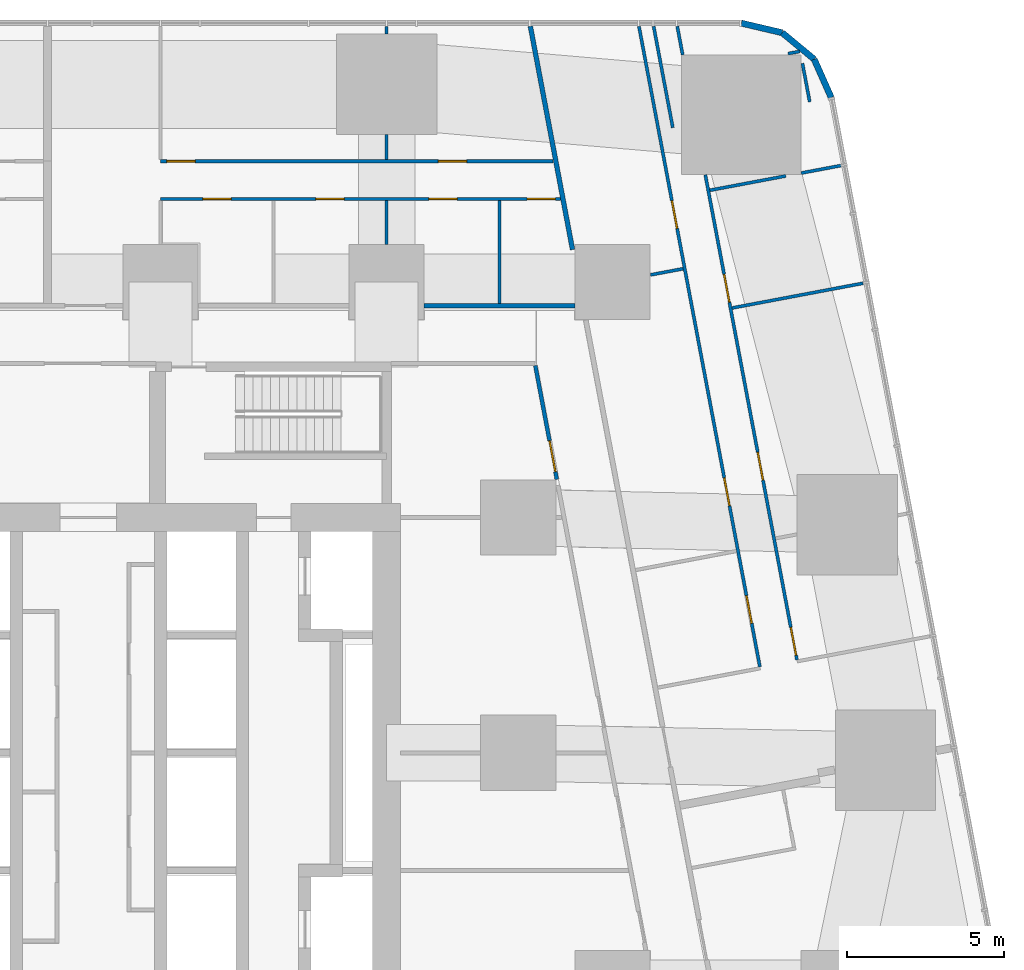
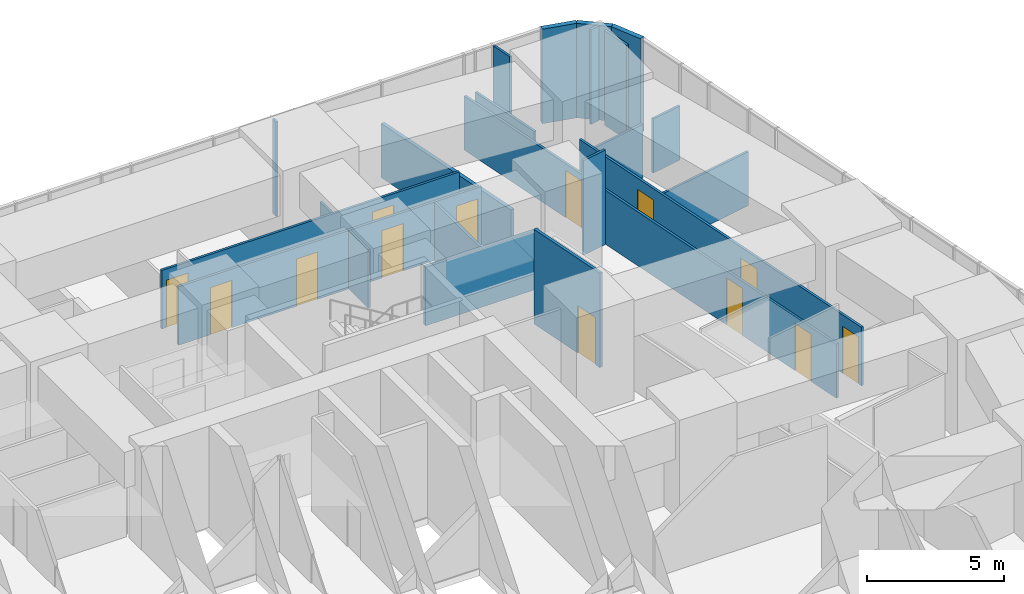
# One storey, part 19 of 22: 22 walls, 13 doors, 13 openings.
"""IFC4 building model written with IfcOpenShell, lengths in metres."""

from ifc_helpers import new_model, si_unit, direction, frame, frame_2d, origin, place, context, subcontext, project, spatial, rectangle, extrude, material, layer, layer_set, type_object, element, fill, save


model = new_model("IFC4")

# Units and contexts
model_context = context("Model", 3, precision=1e-05, world=origin(), true_north=direction((0.0, 1.0)))
body_context = subcontext(model_context, "Body", "Model", "MODEL_VIEW")
ifc_project = project(units=[si_unit("LENGTHUNIT", "METRE"), si_unit("AREAUNIT", "SQUARE_METRE"), si_unit("VOLUMEUNIT", "CUBIC_METRE"), si_unit("PLANEANGLEUNIT", "RADIAN"), si_unit("MASSUNIT", "GRAM", prefix="KILO")], contexts=[model_context])

# Site, building, storey
site_placement = place(None, origin())
site = spatial("IfcSite", under=ifc_project, at=site_placement, CompositionType="ELEMENT")
building_placement = place(site_placement, origin())
building = spatial("IfcBuilding", under=site, at=building_placement, Name="Sheger Commons Tower", CompositionType="ELEMENT")
storey_placement = place(building_placement, frame((0.0, 0.0, 10.10009765625)))
storey = spatial("IfcBuildingStorey", under=building, at=storey_placement, Name="L02", CompositionType="ELEMENT", Elevation=10.10009765625)

# Walls
ifc_material_1 = material(Name="Hollow concrete block masonry, skimmed both sides", Category="masonry")
ifc_layer_1 = layer(ifc_material_1, 0.14990234375)
ifc_layer_set_1 = layer_set([ifc_layer_1], Name="CORRIDOR WALL 150")
wall_type_1 = type_object("IfcWallType", Name="CORRIDOR WALL 150", PredefinedType="SOLIDWALL", material=ifc_layer_set_1)
wall_1_placement = place(storey_placement, frame((30.0009765625, 36.75, 0.0), z_axis=(0.0, 0.0, 1.0), x_axis=(1.0, 0.0, 0.0)))
element("IfcWall", 1, at=wall_1_placement, inside=storey, type_object=wall_type_1, Name="Corridor wall L02", PredefinedType="SOLIDWALL", context=body_context, shape_type="SweptSolid", body=[
    extrude(rectangle(XDim=4.798095703125, YDim=0.14990234375, at=frame_2d((2.39892578125, 0.0))), origin(), (0.0, 0.0, 1.0), 2.599853515625),
])
wall_2_placement = place(storey_placement, frame((33.382080078125, 45.64990234375, 0.0), z_axis=(0.0, 0.0, 1.0), x_axis=(0.185564463355, -0.982632092871, 0.0)))
element("IfcWall", 2, at=wall_2_placement, inside=storey, type_object=wall_type_1, Name="Corridor wall L02", PredefinedType="SOLIDWALL", context=body_context, shape_type="SweptSolid", body=[
    extrude(rectangle(XDim=7.24267578125, YDim=0.14990234375, at=frame_2d((3.621337890625, 0.0))), origin(), (0.0, 0.0, 1.0), 2.39990234375),
])
ifc_material_2 = material(Name="Rendered concrete block masonry, dark grey", Category="masonry")
ifc_layer_2 = layer(ifc_material_2, 0.199951171875)
ifc_layer_set_2 = layer_set([ifc_layer_2], Name="FACADE WALL 200")
wall_type_2 = type_object("IfcWallType", Name="FACADE WALL 200", PredefinedType="SOLIDWALL", material=ifc_layer_set_2)
wall_3_placement = place(storey_placement, frame((42.969970703125, 43.376953125, 0.0), z_axis=(0.0, 0.0, 1.0), x_axis=(-0.406002956633, 0.913871762998, 0.0)))
element("IfcWall", 3, at=wall_3_placement, inside=storey, type_object=wall_type_2, Name="Facade wall L02", PredefinedType="SOLIDWALL", context=body_context, shape_type="SweptSolid", body=[
    extrude(rectangle(XDim=1.33740234375, YDim=0.199951171875, at=frame_2d((0.668701171875, 0.0))), origin(), (0.0, 0.0, 1.0), 4.199951171875),
])
wall_4_placement = place(storey_placement, frame((42.427001953125, 44.59912109375, 0.0), z_axis=(0.0, 0.0, 1.0), x_axis=(-0.770091412544, 0.637933551655, 0.0)))
element("IfcWall", 4, at=wall_4_placement, inside=storey, type_object=wall_type_2, Name="Facade wall L02", PredefinedType="SOLIDWALL", context=body_context, shape_type="SweptSolid", body=[
    extrude(rectangle(XDim=1.324462890625, YDim=0.199951171875, at=frame_2d((0.662109375, 0.0))), origin(), (0.0, 0.0, 1.0), 4.199951171875),
])
wall_5_placement = place(storey_placement, frame((41.406982421875, 45.444091796875, 0.0), z_axis=(0.0, 0.0, 1.0), x_axis=(-0.973453091607, 0.228886606077, 0.0)))
element("IfcWall", 5, at=wall_5_placement, inside=storey, type_object=wall_type_2, Name="Facade wall L02", PredefinedType="SOLIDWALL", context=body_context, shape_type="SweptSolid", body=[
    extrude(rectangle(XDim=1.33642578125, YDim=0.199951171875, at=frame_2d((0.668212890625, 0.0))), origin(), (0.0, 0.0, 1.0), 4.199951171875),
])
ifc_material_3 = material(Name="Gypsum board on steel studs", Category="steel")
ifc_layer_3 = layer(ifc_material_3, 0.10009765625)
ifc_layer_set_3 = layer_set([ifc_layer_3], Name="PARTITION 100")
wall_type_3 = type_object("IfcWallType", Name="PARTITION 100", PredefinedType="PARTITIONING", material=ifc_layer_set_3)
wall_6_placement = place(storey_placement, frame((37.9208984375, 42.41796875, 0.0), z_axis=(0.0, 0.0, 1.0), x_axis=(-0.185713480744, 0.982603940085, 0.0)))
element("IfcWall", 6, at=wall_6_placement, inside=storey, type_object=wall_type_3, Name="Partition L02", PredefinedType="PARTITIONING", context=body_context, shape_type="SweptSolid", body=[
    extrude(rectangle(XDim=3.2890625, YDim=0.10009765625, at=frame_2d((1.64453125, 0.0))), origin(), (0.0, 0.0, 1.0), 2.39990234375),
])
wall_7_placement = place(storey_placement, frame((42.051025390625, 44.468994140625, 0.0), z_axis=(0.0, 0.0, 1.0), x_axis=(0.185728424166, -0.98260111564, 0.0)))
element("IfcWall", 7, at=wall_7_placement, inside=storey, type_object=wall_type_3, Name="Partition L02", PredefinedType="PARTITIONING", context=body_context, shape_type="SweptSolid", body=[
    extrude(rectangle(XDim=1.248779296875, YDim=0.10009765625, at=frame_2d((0.62451171875, 0.0))), origin(), (0.0, 0.0, 1.0), 4.199951171875),
])
wall_8_placement = place(storey_placement, frame((38.06298828125, 45.64990234375, 0.0), z_axis=(0.0, 0.0, 1.0), x_axis=(0.185288147753, -0.982684233262, 0.0)))
element("IfcWall", 8, at=wall_8_placement, inside=storey, type_object=wall_type_3, Name="Partition L02", PredefinedType="PARTITIONING", context=body_context, shape_type="SweptSolid", body=[
    extrude(rectangle(XDim=0.928955078125, YDim=0.10009765625, at=frame_2d((0.46435546875, 0.0))), origin(), (0.0, 0.0, 1.0), 4.199951171875),
])

# Wall, openings, doors
wall_9_placement = place(storey_placement, frame((38.9560546875, 40.919921875, 0.0), z_axis=(0.0, 0.0, 1.0), x_axis=(0.185636914727, -0.982618408077, 0.0)))
wall_9 = element("IfcWall", 9, at=wall_9_placement, inside=storey, type_object=wall_type_3, Name="Partition L02", PredefinedType="PARTITIONING", context=body_context, shape_type="SweptSolid", body=[
    extrude(rectangle(XDim=15.729248046875, YDim=0.10009765625, at=frame_2d((7.86474609375, 0.0))), origin(), (0.0, 0.0, 1.0), 2.599853515625),
])
opening_1_placement = place(wall_9_placement, frame((14.678955078125, 0.0, 0.0)))
opening_1 = element("IfcOpeningElement", 10, at=opening_1_placement, cuts=wall_9, Name="Opening D2", PredefinedType="OPENING", context=body_context, shape_type="SweptSolid", body=[
    extrude(rectangle(XDim=0.89990234375, YDim=2.10009765625, at=frame_2d((0.449951171875, 1.050048828125))), frame((0.0, 0.06005859375, 0.0), z_axis=(0.0, -1.0, 0.0), x_axis=(1.0, 0.0, 0.0)), (0.0, 0.0, 1.0), 0.1201171875),
])
opening_2_placement = place(wall_9_placement, frame((9.0, 0.0, 0.0)))
opening_2 = element("IfcOpeningElement", 11, at=opening_2_placement, cuts=wall_9, Name="Opening D2", PredefinedType="OPENING", context=body_context, shape_type="SweptSolid", body=[
    extrude(rectangle(XDim=0.89990234375, YDim=2.10009765625, at=frame_2d((0.449951171875, 1.050048828125))), frame((0.0, 0.06005859375, 0.0), z_axis=(0.0, -1.0, 0.0), x_axis=(1.0, 0.0, 0.0)), (0.0, 0.0, 1.0), 0.1201171875),
])
opening_3_placement = place(wall_9_placement, frame((3.23095703125, 0.0, 0.0)))
opening_3 = element("IfcOpeningElement", 12, at=opening_3_placement, cuts=wall_9, Name="Opening D2", PredefinedType="OPENING", context=body_context, shape_type="SweptSolid", body=[
    extrude(rectangle(XDim=0.89990234375, YDim=2.10009765625, at=frame_2d((0.449951171875, 1.050048828125))), frame((0.0, 0.06005859375, 0.0), z_axis=(0.0, -1.0, 0.0), x_axis=(1.0, 0.0, 0.0)), (0.0, 0.0, 1.0), 0.1201171875),
])
ifc_material_4 = material(Name="Timber door set", Category="wood")
door_type_1 = type_object("IfcDoorType", Name="INTERNAL DOOR 900x2100", OperationType="NOTDEFINED", PredefinedType="DOOR", material=ifc_material_4)
door_1_placement = place(opening_1_placement, origin())
door_1 = element("IfcDoor", 13, at=door_1_placement, inside=storey, type_object=door_type_1, Name="Dental surgery door", OperationType="SINGLE_SWING_RIGHT", OverallHeight=2.10009765625, OverallWidth=0.89990234375, PredefinedType="DOOR", context=body_context, shape_type="SweptSolid", body=[
    extrude(rectangle(XDim=0.89990234375, YDim=2.10009765625, at=frame_2d((0.449951171875, 1.050048828125))), frame((0.0, 0.02490234375, 0.0), z_axis=(0.0, -1.0, 0.0), x_axis=(1.0, 0.0, 0.0)), (0.0, 0.0, 1.0), 0.050048828125),
])
fill(opening_1, door_1)
door_2_placement = place(opening_2_placement, origin())
door_2 = element("IfcDoor", 14, at=door_2_placement, inside=storey, type_object=door_type_1, Name="Laboratory door", OperationType="SINGLE_SWING_RIGHT", OverallHeight=2.10009765625, OverallWidth=0.89990234375, PredefinedType="DOOR", context=body_context, shape_type="SweptSolid", body=[
    extrude(rectangle(XDim=0.89990234375, YDim=2.10009765625, at=frame_2d((0.449951171875, 1.050048828125))), frame((0.0, 0.02490234375, 0.0), z_axis=(0.0, -1.0, 0.0), x_axis=(1.0, 0.0, 0.0)), (0.0, 0.0, 1.0), 0.050048828125),
])
fill(opening_2, door_2)
door_3_placement = place(opening_3_placement, origin())
door_3 = element("IfcDoor", 15, at=door_3_placement, inside=storey, type_object=door_type_1, Name="Ultrasound room door", OperationType="SINGLE_SWING_RIGHT", OverallHeight=2.10009765625, OverallWidth=0.89990234375, PredefinedType="DOOR", context=body_context, shape_type="SweptSolid", body=[
    extrude(rectangle(XDim=0.89990234375, YDim=2.10009765625, at=frame_2d((0.449951171875, 1.050048828125))), frame((0.0, 0.02490234375, 0.0), z_axis=(0.0, -1.0, 0.0), x_axis=(1.0, 0.0, 0.0)), (0.0, 0.0, 1.0), 0.050048828125),
])
fill(opening_3, door_3)

wall_10_placement = place(storey_placement, frame((36.842041015625, 45.64990234375, 0.0), z_axis=(0.0, 0.0, 1.0), x_axis=(0.185559483963, -0.982633033188, 0.0)))
wall_10 = element("IfcWall", 16, at=wall_10_placement, inside=storey, type_object=wall_type_3, Name="Partition L02", PredefinedType="PARTITIONING", context=body_context, shape_type="SweptSolid", body=[
    extrude(rectangle(XDim=20.76953125, YDim=0.10009765625, at=frame_2d((10.384765625, 0.0))), origin(), (0.0, 0.0, 1.0), 2.39990234375),
])
opening_4_placement = place(wall_10_placement, frame((18.4619140625, 0.0, 0.0)))
opening_4 = element("IfcOpeningElement", 17, at=opening_4_placement, cuts=wall_10, Name="Opening D2", PredefinedType="OPENING", context=body_context, shape_type="SweptSolid", body=[
    extrude(rectangle(XDim=0.89990234375, YDim=2.10009765625, at=frame_2d((0.449951171875, 1.050048828125))), frame((0.0, 0.06005859375, 0.0), z_axis=(0.0, -1.0, 0.0), x_axis=(1.0, 0.0, 0.0)), (0.0, 0.0, 1.0), 0.1201171875),
])
opening_5_placement = place(wall_10_placement, frame((14.64501953125, 0.0, 0.0)))
opening_5 = element("IfcOpeningElement", 18, at=opening_5_placement, cuts=wall_10, Name="Opening D2", PredefinedType="OPENING", context=body_context, shape_type="SweptSolid", body=[
    extrude(rectangle(XDim=0.89990234375, YDim=2.10009765625, at=frame_2d((0.449951171875, 1.050048828125))), frame((0.0, 0.06005859375, 0.0), z_axis=(0.0, -1.0, 0.0), x_axis=(1.0, 0.0, 0.0)), (0.0, 0.0, 1.0), 0.1201171875),
])
opening_6_placement = place(wall_10_placement, frame((5.655029296875, 0.0, 0.0)))
opening_6 = element("IfcOpeningElement", 19, at=opening_6_placement, cuts=wall_10, Name="Opening D2", PredefinedType="OPENING", context=body_context, shape_type="SweptSolid", body=[
    extrude(rectangle(XDim=0.89990234375, YDim=2.10009765625, at=frame_2d((0.449951171875, 1.050048828125))), frame((0.0, 0.06005859375, 0.0), z_axis=(0.0, -1.0, 0.0), x_axis=(1.0, 0.0, 0.0)), (0.0, 0.0, 1.0), 0.1201171875),
])
door_4_placement = place(opening_4_placement, origin())
door_4 = element("IfcDoor", 20, at=door_4_placement, inside=storey, type_object=door_type_1, Name="Patient WC door", OperationType="SINGLE_SWING_LEFT", OverallHeight=2.10009765625, OverallWidth=0.89990234375, PredefinedType="DOOR", context=body_context, shape_type="SweptSolid", body=[
    extrude(rectangle(XDim=0.89990234375, YDim=2.10009765625, at=frame_2d((0.449951171875, 1.050048828125))), frame((0.0, 0.02490234375, 0.0), z_axis=(0.0, -1.0, 0.0), x_axis=(1.0, 0.0, 0.0)), (0.0, 0.0, 1.0), 0.050048828125),
])
fill(opening_4, door_4)
door_5_placement = place(opening_5_placement, origin())
door_5 = element("IfcDoor", 21, at=door_5_placement, inside=storey, type_object=door_type_1, Name="Treatment room door", OperationType="SINGLE_SWING_LEFT", OverallHeight=2.10009765625, OverallWidth=0.89990234375, PredefinedType="DOOR", context=body_context, shape_type="SweptSolid", body=[
    extrude(rectangle(XDim=0.89990234375, YDim=2.10009765625, at=frame_2d((0.449951171875, 1.050048828125))), frame((0.0, 0.02490234375, 0.0), z_axis=(0.0, -1.0, 0.0), x_axis=(1.0, 0.0, 0.0)), (0.0, 0.0, 1.0), 0.050048828125),
])
fill(opening_5, door_5)
door_6_placement = place(opening_6_placement, origin())
door_6 = element("IfcDoor", 22, at=door_6_placement, inside=storey, type_object=door_type_1, Name="Clean utility store door", OperationType="SINGLE_SWING_LEFT", OverallHeight=2.10009765625, OverallWidth=0.89990234375, PredefinedType="DOOR", context=body_context, shape_type="SweptSolid", body=[
    extrude(rectangle(XDim=0.89990234375, YDim=2.10009765625, at=frame_2d((0.449951171875, 1.050048828125))), frame((0.0, 0.02490234375, 0.0), z_axis=(0.0, -1.0, 0.0), x_axis=(1.0, 0.0, 0.0)), (0.0, 0.0, 1.0), 0.050048828125),
])
fill(opening_6, door_6)

# Walls
wall_11_placement = place(storey_placement, frame((41.968017578125, 44.85009765625, 0.0), z_axis=(0.0, 0.0, 1.0), x_axis=(-0.982433858219, -0.186611131032, 0.0)))
element("IfcWall", 23, at=wall_11_placement, inside=storey, type_object=wall_type_3, Name="Partition L02", PredefinedType="PARTITIONING", context=body_context, shape_type="SweptSolid", body=[
    extrude(rectangle(XDim=0.380615234375, YDim=0.10009765625, at=frame_2d((0.1904296875, 0.0))), origin(), (0.0, 0.0, 1.0), 4.199951171875),
])
wall_12_placement = place(storey_placement, frame((43.277099609375, 41.2119140625, 0.0), z_axis=(0.0, 0.0, 1.0), x_axis=(-0.982617952949, -0.185639323801, 0.0)))
element("IfcWall", 24, at=wall_12_placement, inside=storey, type_object=wall_type_3, Name="Partition L02", PredefinedType="PARTITIONING", context=body_context, shape_type="SweptSolid", body=[
    extrude(rectangle(XDim=1.28759765625, YDim=0.10009765625, at=frame_2d((0.643798828125, 0.0))), origin(), (0.0, 0.0, 1.0), 2.39990234375),
])
wall_13_placement = place(storey_placement, frame((41.52099609375, 40.881103515625, 0.0), z_axis=(0.0, 0.0, 1.0), x_axis=(-0.982628922785, -0.18558124934, 0.0)))
element("IfcWall", 25, at=wall_13_placement, inside=storey, type_object=wall_type_3, Name="Partition L02", PredefinedType="PARTITIONING", context=body_context, shape_type="SweptSolid", body=[
    extrude(rectangle(XDim=2.462646484375, YDim=0.10009765625, at=frame_2d((1.2314453125, 0.0))), origin(), (0.0, 0.0, 1.0), 2.39990234375),
])
wall_14_placement = place(storey_placement, frame((43.985107421875, 37.462890625, 0.0), z_axis=(0.0, 0.0, 1.0), x_axis=(-0.982623519589, -0.185609856287, 0.0)))
element("IfcWall", 26, at=wall_14_placement, inside=storey, type_object=wall_type_3, Name="Partition L02", PredefinedType="PARTITIONING", context=body_context, shape_type="SweptSolid", body=[
    extrude(rectangle(XDim=4.249755859375, YDim=0.10009765625, at=frame_2d((2.125, 0.0))), origin(), (0.0, 0.0, 1.0), 2.39990234375),
])
wall_15_placement = place(storey_placement, frame((38.25, 37.925048828125, 0.0), z_axis=(0.0, 0.0, 1.0), x_axis=(-0.982694151031, -0.185235540676, 0.0)))
element("IfcWall", 27, at=wall_15_placement, inside=storey, type_object=wall_type_3, Name="Partition L02", PredefinedType="PARTITIONING", context=body_context, shape_type="SweptSolid", body=[
    extrude(rectangle(XDim=1.058349609375, YDim=0.10009765625, at=frame_2d((0.529296875, 0.0))), origin(), (0.0, 0.0, 1.0), 4.199951171875),
])

# Wall, openings, doors
wall_16_placement = place(storey_placement, frame((21.60009765625, 41.35009765625, 0.0), z_axis=(0.0, 0.0, 1.0), x_axis=(1.0, 0.0, 0.0)))
wall_16 = element("IfcWall", 28, at=wall_16_placement, inside=storey, type_object=wall_type_3, Name="Partition L02", PredefinedType="PARTITIONING", context=body_context, shape_type="SweptSolid", body=[
    extrude(rectangle(XDim=12.5078125, YDim=0.10009765625, at=frame_2d((6.25390625, 0.0))), origin(), (0.0, 0.0, 1.0), 2.599853515625),
])
opening_7_placement = place(wall_16_placement, frame((0.199951171875, 0.0, 0.0)))
opening_7 = element("IfcOpeningElement", 29, at=opening_7_placement, cuts=wall_16, Name="Opening D2", PredefinedType="OPENING", context=body_context, shape_type="SweptSolid", body=[
    extrude(rectangle(XDim=0.89990234375, YDim=2.10009765625, at=frame_2d((0.449951171875, 1.050048828125))), frame((0.0, 0.06005859375, 0.0), z_axis=(0.0, -1.0, 0.0), x_axis=(1.0, 0.0, 0.0)), (0.0, 0.0, 1.0), 0.1201171875),
])
opening_8_placement = place(wall_16_placement, frame((8.85009765625, 0.0, 0.0)))
opening_8 = element("IfcOpeningElement", 30, at=opening_8_placement, cuts=wall_16, Name="Opening D2", PredefinedType="OPENING", context=body_context, shape_type="SweptSolid", body=[
    extrude(rectangle(XDim=0.89990234375, YDim=2.10009765625, at=frame_2d((0.449951171875, 1.050048828125))), frame((0.0, 0.06005859375, 0.0), z_axis=(0.0, -1.0, 0.0), x_axis=(1.0, 0.0, 0.0)), (0.0, 0.0, 1.0), 0.1201171875),
])
door_7_placement = place(opening_7_placement, origin())
door_7 = element("IfcDoor", 31, at=door_7_placement, inside=storey, type_object=door_type_1, Name="Maternal and child health room door", OperationType="SINGLE_SWING_LEFT", OverallHeight=2.10009765625, OverallWidth=0.89990234375, PredefinedType="DOOR", context=body_context, shape_type="SweptSolid", body=[
    extrude(rectangle(XDim=0.89990234375, YDim=2.10009765625, at=frame_2d((0.449951171875, 1.050048828125))), frame((0.0, 0.02490234375, 0.0), z_axis=(0.0, -1.0, 0.0), x_axis=(1.0, 0.0, 0.0)), (0.0, 0.0, 1.0), 0.050048828125),
])
fill(opening_7, door_7)
door_8_placement = place(opening_8_placement, origin())
door_8 = element("IfcDoor", 32, at=door_8_placement, inside=storey, type_object=door_type_1, Name="Dental surgery door", OperationType="SINGLE_SWING_LEFT", OverallHeight=2.10009765625, OverallWidth=0.89990234375, PredefinedType="DOOR", context=body_context, shape_type="SweptSolid", body=[
    extrude(rectangle(XDim=0.89990234375, YDim=2.10009765625, at=frame_2d((0.449951171875, 1.050048828125))), frame((0.0, 0.02490234375, 0.0), z_axis=(0.0, -1.0, 0.0), x_axis=(1.0, 0.0, 0.0)), (0.0, 0.0, 1.0), 0.050048828125),
])
fill(opening_8, door_8)

wall_17_placement = place(storey_placement, frame((21.60009765625, 40.14990234375, 0.0), z_axis=(0.0, 0.0, 1.0), x_axis=(1.0, 0.0, 0.0)))
wall_17 = element("IfcWall", 33, at=wall_17_placement, inside=storey, type_object=wall_type_3, Name="Partition L02", PredefinedType="PARTITIONING", context=body_context, shape_type="SweptSolid", body=[
    extrude(rectangle(XDim=12.73486328125, YDim=0.10009765625, at=frame_2d((6.367431640625, 0.0))), origin(), (0.0, 0.0, 1.0), 2.599853515625),
])
opening_9_placement = place(wall_17_placement, frame((1.35009765625, 0.0, 0.0)))
opening_9 = element("IfcOpeningElement", 34, at=opening_9_placement, cuts=wall_17, Name="Opening D2", PredefinedType="OPENING", context=body_context, shape_type="SweptSolid", body=[
    extrude(rectangle(XDim=0.89990234375, YDim=2.10009765625, at=frame_2d((0.449951171875, 1.050048828125))), frame((0.0, 0.06005859375, 0.0), z_axis=(0.0, -1.0, 0.0), x_axis=(1.0, 0.0, 0.0)), (0.0, 0.0, 1.0), 0.1201171875),
])
opening_10_placement = place(wall_17_placement, frame((4.949951171875, 0.0, 0.0)))
opening_10 = element("IfcOpeningElement", 35, at=opening_10_placement, cuts=wall_17, Name="Opening D2", PredefinedType="OPENING", context=body_context, shape_type="SweptSolid", body=[
    extrude(rectangle(XDim=0.89990234375, YDim=2.10009765625, at=frame_2d((0.449951171875, 1.050048828125))), frame((0.0, 0.06005859375, 0.0), z_axis=(0.0, -1.0, 0.0), x_axis=(1.0, 0.0, 0.0)), (0.0, 0.0, 1.0), 0.1201171875),
])
opening_11_placement = place(wall_17_placement, frame((8.550048828125, 0.0, 0.0)))
opening_11 = element("IfcOpeningElement", 36, at=opening_11_placement, cuts=wall_17, Name="Opening D2", PredefinedType="OPENING", context=body_context, shape_type="SweptSolid", body=[
    extrude(rectangle(XDim=0.89990234375, YDim=2.10009765625, at=frame_2d((0.449951171875, 1.050048828125))), frame((0.0, 0.06005859375, 0.0), z_axis=(0.0, -1.0, 0.0), x_axis=(1.0, 0.0, 0.0)), (0.0, 0.0, 1.0), 0.1201171875),
])
opening_12_placement = place(wall_17_placement, frame((11.680908203125, 0.0, 0.0)))
opening_12 = element("IfcOpeningElement", 37, at=opening_12_placement, cuts=wall_17, Name="Opening D2", PredefinedType="OPENING", context=body_context, shape_type="SweptSolid", body=[
    extrude(rectangle(XDim=0.89990234375, YDim=2.10009765625, at=frame_2d((0.449951171875, 1.050048828125))), frame((0.0, 0.06005859375, 0.0), z_axis=(0.0, -1.0, 0.0), x_axis=(1.0, 0.0, 0.0)), (0.0, 0.0, 1.0), 0.1201171875),
])
door_9_placement = place(opening_9_placement, origin())
door_9 = element("IfcDoor", 38, at=door_9_placement, inside=storey, type_object=door_type_1, Name="Patient WC door", OperationType="SINGLE_SWING_RIGHT", OverallHeight=2.10009765625, OverallWidth=0.89990234375, PredefinedType="DOOR", context=body_context, shape_type="SweptSolid", body=[
    extrude(rectangle(XDim=0.89990234375, YDim=2.10009765625, at=frame_2d((0.449951171875, 1.050048828125))), frame((0.0, 0.02490234375, 0.0), z_axis=(0.0, -1.0, 0.0), x_axis=(1.0, 0.0, 0.0)), (0.0, 0.0, 1.0), 0.050048828125),
])
fill(opening_9, door_9)
door_10_placement = place(opening_10_placement, origin())
door_10 = element("IfcDoor", 39, at=door_10_placement, inside=storey, type_object=door_type_1, Name="Treatment room door", OperationType="SINGLE_SWING_RIGHT", OverallHeight=2.10009765625, OverallWidth=0.89990234375, PredefinedType="DOOR", context=body_context, shape_type="SweptSolid", body=[
    extrude(rectangle(XDim=0.89990234375, YDim=2.10009765625, at=frame_2d((0.449951171875, 1.050048828125))), frame((0.0, 0.02490234375, 0.0), z_axis=(0.0, -1.0, 0.0), x_axis=(1.0, 0.0, 0.0)), (0.0, 0.0, 1.0), 0.050048828125),
])
fill(opening_10, door_10)
door_11_placement = place(opening_11_placement, origin())
door_11 = element("IfcDoor", 40, at=door_11_placement, inside=storey, type_object=door_type_1, Name="Treatment room door", OperationType="SINGLE_SWING_RIGHT", OverallHeight=2.10009765625, OverallWidth=0.89990234375, PredefinedType="DOOR", context=body_context, shape_type="SweptSolid", body=[
    extrude(rectangle(XDim=0.89990234375, YDim=2.10009765625, at=frame_2d((0.449951171875, 1.050048828125))), frame((0.0, 0.02490234375, 0.0), z_axis=(0.0, -1.0, 0.0), x_axis=(1.0, 0.0, 0.0)), (0.0, 0.0, 1.0), 0.050048828125),
])
fill(opening_11, door_11)
door_12_placement = place(opening_12_placement, origin())
door_12 = element("IfcDoor", 41, at=door_12_placement, inside=storey, type_object=door_type_1, Name="Clean utility store door", OperationType="SINGLE_SWING_LEFT", OverallHeight=2.10009765625, OverallWidth=0.89990234375, PredefinedType="DOOR", context=body_context, shape_type="SweptSolid", body=[
    extrude(rectangle(XDim=0.89990234375, YDim=2.10009765625, at=frame_2d((0.449951171875, 1.050048828125))), frame((0.0, 0.02490234375, 0.0), z_axis=(0.0, -1.0, 0.0), x_axis=(1.0, 0.0, 0.0)), (0.0, 0.0, 1.0), 0.050048828125),
])
fill(opening_12, door_12)

# Walls
wall_18_placement = place(storey_placement, frame((28.800048828125, 41.39990234375, 0.0), z_axis=(0.0, 0.0, 1.0), x_axis=(0.0, 1.0, 0.0)))
element("IfcWall", 42, at=wall_18_placement, inside=storey, type_object=wall_type_3, Name="Partition L02", PredefinedType="PARTITIONING", context=body_context, shape_type="SweptSolid", body=[
    extrude(rectangle(XDim=0.799072265625, YDim=0.10009765625, at=frame_2d((0.3994140625, 0.0))), origin(), (0.0, 0.0, 1.0), 2.599853515625),
])
wall_19_placement = place(storey_placement, frame((28.800048828125, 45.40087890625, 0.0), z_axis=(0.0, 0.0, 1.0), x_axis=(0.0, 1.0, 0.0)))
element("IfcWall", 43, at=wall_19_placement, inside=storey, type_object=wall_type_3, Name="Partition L02", PredefinedType="PARTITIONING", context=body_context, shape_type="SweptSolid", body=[
    extrude(rectangle(XDim=0.2490234375, YDim=0.10009765625, at=frame_2d((0.12451171875, 0.0))), origin(), (0.0, 0.0, 1.0), 4.199951171875),
])
wall_20_placement = place(storey_placement, frame((28.800048828125, 38.700927734375, 0.0), z_axis=(0.0, 0.0, 1.0), x_axis=(0.0, 1.0, 0.0)))
element("IfcWall", 44, at=wall_20_placement, inside=storey, type_object=wall_type_3, Name="Partition L02", PredefinedType="PARTITIONING", context=body_context, shape_type="SweptSolid", body=[
    extrude(rectangle(XDim=1.399169921875, YDim=0.10009765625, at=frame_2d((0.69970703125, 0.0))), origin(), (0.0, 0.0, 1.0), 2.599853515625),
])
wall_21_placement = place(storey_placement, frame((32.39990234375, 36.824951171875, 0.0), z_axis=(0.0, 0.0, 1.0), x_axis=(0.0, 1.0, 0.0)))
element("IfcWall", 45, at=wall_21_placement, inside=storey, type_object=wall_type_3, Name="Partition L02", PredefinedType="PARTITIONING", context=body_context, shape_type="SweptSolid", body=[
    extrude(rectangle(XDim=3.275146484375, YDim=0.10009765625, at=frame_2d((1.6376953125, 0.0))), origin(), (0.0, 0.0, 1.0), 2.599853515625),
])

# Wall, opening, door
ifc_material_5 = material(Name="Gypsum board on steel studs, two layers each side, fire rated", Category="steel")
ifc_layer_4 = layer(ifc_material_5, 0.125)
ifc_layer_set_4 = layer_set([ifc_layer_4], Name="SERVICE WALL 125")
wall_type_4 = type_object("IfcWallType", Name="SERVICE WALL 125", PredefinedType="PARTITIONING", material=ifc_layer_set_4)
wall_22_placement = place(storey_placement, frame((34.22607421875, 31.212890625, 0.0), z_axis=(0.0, 0.0, 1.0), x_axis=(-0.185694811189, 0.982607468472, 0.0)))
wall_22 = element("IfcWall", 46, at=wall_22_placement, inside=storey, type_object=wall_type_4, Name="Service room wall L02", PredefinedType="PARTITIONING", context=body_context, shape_type="SweptSolid", body=[
    extrude(rectangle(XDim=3.689208984375, YDim=0.125, at=frame_2d((1.8447265625, 0.0))), origin(), (0.0, 0.0, 1.0), 4.199951171875),
])
opening_13_placement = place(wall_22_placement, frame((0.25, 0.0, 0.0)))
opening_13 = element("IfcOpeningElement", 47, at=opening_13_placement, cuts=wall_22, Name="Opening D4", PredefinedType="OPENING", context=body_context, shape_type="SweptSolid", body=[
    extrude(rectangle(XDim=1.0, YDim=2.10009765625, at=frame_2d((0.5, 1.050048828125))), frame((0.0, 0.072509765625, 0.0), z_axis=(0.0, -1.0, 0.0), x_axis=(1.0, 0.0, 0.0)), (0.0, 0.0, 1.0), 0.14501953125),
])
ifc_material_6 = material(Name="Steel door set, fire rated", Category="steel")
door_type_2 = type_object("IfcDoorType", Name="SERVICE DOOR 1000x2100", OperationType="NOTDEFINED", PredefinedType="DOOR", material=ifc_material_6)
door_13_placement = place(opening_13_placement, origin())
door_13 = element("IfcDoor", 48, at=door_13_placement, inside=storey, type_object=door_type_2, Name="Store door", OperationType="SINGLE_SWING_LEFT", OverallHeight=2.10009765625, OverallWidth=1.0, PredefinedType="DOOR", context=body_context, shape_type="SweptSolid", body=[
    extrude(rectangle(XDim=1.0, YDim=2.10009765625, at=frame_2d((0.5, 1.050048828125))), frame((0.0, 0.02490234375, 0.0), z_axis=(0.0, -1.0, 0.0), x_axis=(1.0, 0.0, 0.0)), (0.0, 0.0, 1.0), 0.050048828125),
])
fill(opening_13, door_13)

save(model, "model.ifc")
